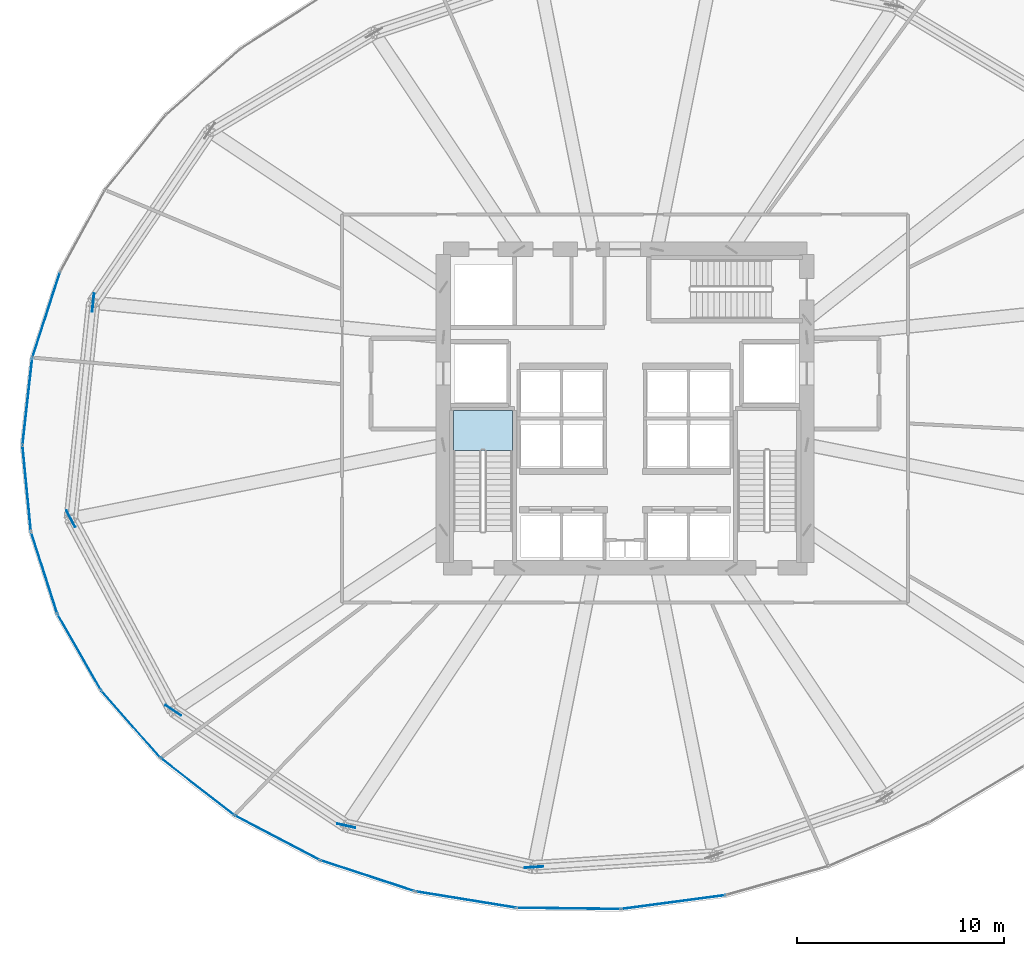
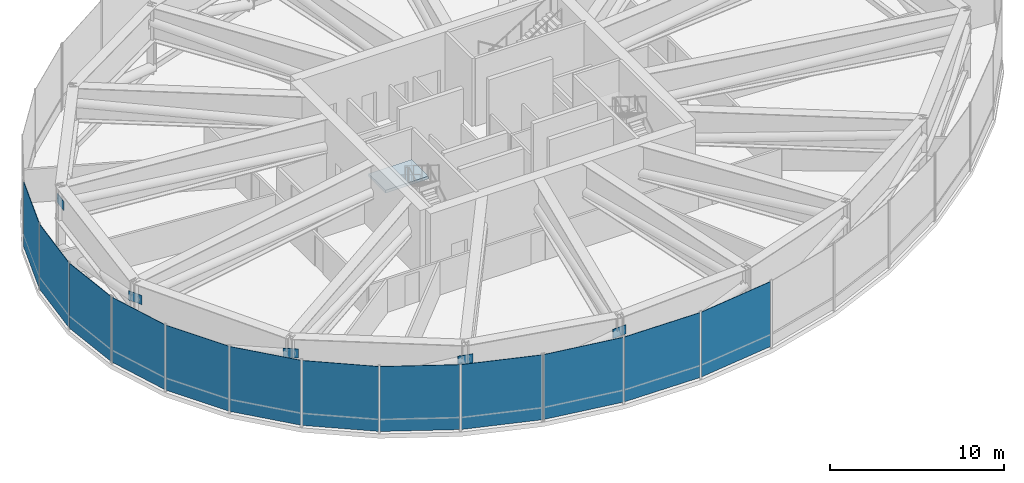
# One storey, part 26 of 33: 17 plates, 1 slab, 4 elements without a shape of their own.
"""IFC4 building model written with IfcOpenShell, lengths in metres."""

from ifc_helpers import new_model, si_unit, direction, frame, origin, origin_2d, place, context, subcontext, project, spatial, polyline, rectangle, outline, extrude, source, transform, mapped, material, layer, layer_set, type_object, element, aggregate, save


model = new_model("IFC4")

# Units and contexts
model_context = context("Model", 3, precision=1e-05, world=origin(), true_north=direction((0.0, 1.0)))
body_context = subcontext(model_context, "Body", "Model", "MODEL_VIEW")
ifc_project = project(units=[si_unit("LENGTHUNIT", "METRE"), si_unit("AREAUNIT", "SQUARE_METRE"), si_unit("VOLUMEUNIT", "CUBIC_METRE"), si_unit("PLANEANGLEUNIT", "RADIAN"), si_unit("MASSUNIT", "GRAM", prefix="KILO"), si_unit("THERMODYNAMICTEMPERATUREUNIT", "KELVIN")], contexts=[model_context])

# Site, building, storey
site_placement = place(None, origin())
site = spatial("IfcSite", under=ifc_project, at=site_placement, CompositionType="ELEMENT")
building_placement = place(site_placement, origin())
building = spatial("IfcBuilding", under=site, at=building_placement, Name="Kethvar Cultural Tower", CompositionType="ELEMENT")
storey_placement = place(building_placement, frame((0.0, 0.0, 80.39990234375)))
storey = spatial("IfcBuildingStorey", under=building, at=storey_placement, Name="L19", CompositionType="ELEMENT", Elevation=80.39990234375)

# Stair, slab
ifc_material_1 = material(Name="Concrete C40/50", Category="concrete")
stair_type = type_object("IfcStairType", Name="ST-DOGLEG-135", PredefinedType="HALF_TURN_STAIR", material=ifc_material_1)
stair_placement = place(storey_placement, origin())
stair = element("IfcStair", 1, at=stair_placement, inside=storey, type_object=stair_type, Name="L19 Core Exit Stair 1", PredefinedType="HALF_TURN_STAIR")
ifc_layer_1 = layer(ifc_material_1, 0.199951171875, Name="Concrete C40/50", Category="concrete")
ifc_layer_set_1 = layer_set([ifc_layer_1], Name="Concrete C40/50 (200 mm)")
slab_type = type_object("IfcSlabType", Name="SL-STAIR-LANDING-200", PredefinedType="LANDING", material=ifc_layer_set_1)
slab_placement = place(storey_placement, frame((0.0, 0.0, 2.400146484375)))
slab = element("IfcSlab", 2, at=slab_placement, type_object=slab_type, Name="ST-01 landing 1", PredefinedType="LANDING", context=body_context, shape_type="SweptSolid", body=[
    extrude(outline(polyline([(41.35009765625, 25.77001953125), (41.35009765625, 27.699951171875), (38.489990234375, 27.699951171875), (38.489990234375, 25.77001953125), (41.35009765625, 25.77001953125)])), origin(), (0.0, 0.0, 1.0), 0.199951171875),
])
aggregate(stair, [slab])

# Plates
ifc_material_2 = material(Name="Steel S460M", Category="steel")
ifc_layer_2 = layer(ifc_material_2, 0.0400390625, Name="Steel S460M", Category="steel")
ifc_layer_set_2 = layer_set([ifc_layer_2], Name="Steel S460M (40 mm)")
plate_type_1 = type_object("IfcPlateType", Name="PL-GUSSET-900", PredefinedType="USERDEFINED", material=ifc_layer_set_2)
shared_shape_1 = source(origin(), body_context, "Body", "SweptSolid", [
    extrude(rectangle(XDim=0.89990234375, YDim=0.0400390625, at=origin_2d()), origin(), (0.0, 0.0, 1.0), 0.64990234375),
])
for number, where, z_axis, x_axis, name in (
    (3, (21.047119140625, 32.922607421875, 3.233154296875), (0.0, 0.0, 1.0), (-0.102815445776, -0.994700449437, 0.0), "L19 Belt-Truss Node Gusset Plate GP-08"),
    (4, (19.9658203125, 22.46240234375, 3.233154296875), (0.0, 0.0, 1.0), (0.47133546255, -0.881954013394, 0.0), "L19 Belt-Truss Node Gusset Plate GP-09"),
    (5, (24.9248046875, 13.183349609375, 3.233154296875), (0.0, 0.0, 1.0), (0.832067102639, -0.554674982946, 0.0), "L19 Belt-Truss Node Gusset Plate GP-10"),
    (6, (33.302001953125, 7.598876953125, 3.233154296875), (0.0, 0.0, 1.0), (0.976533951139, -0.215363511935, 0.0), "L19 Belt-Truss Node Gusset Plate GP-11"),
    (7, (42.38330078125, 5.59619140625, 3.233154296875), (0.0, 0.0, 1.0), (0.997895892214, 0.064836627784, 0.0), "L19 Belt-Truss Node Gusset Plate GP-12"),
):
    element("IfcPlate", number, at=place(storey_placement, frame(where, z_axis=z_axis, x_axis=x_axis)), inside=storey, type_object=plate_type_1, Name=name, ObjectType="GUSSET_PLATE", PredefinedType="USERDEFINED", context=body_context, shape_type="MappedRepresentation", body=[
        mapped(shared_shape_1, transform((0.0, 0.0, 0.0), scale=1.0)),
    ])

# Curtain wall, plate
ifc_material_3 = material(Name="Aluminium 6063-T6", Category="aluminium")
ifc_layer_3 = layer(ifc_material_3, 0.179931640625, Name="Aluminium 6063-T6", Category="aluminium")
ifc_layer_set_3 = layer_set([ifc_layer_3], Name="Aluminium 6063-T6 (180 mm)")
curtain_wall_type = type_object("IfcCurtainWallType", Name="CW-SYS-02-Z1", PredefinedType="NOTDEFINED", material=ifc_layer_set_3)
curtain_wall_1_placement = place(storey_placement, origin())
curtain_wall_1 = element("IfcCurtainWall", 8, at=curtain_wall_1_placement, inside=storey, type_object=curtain_wall_type, Name="L19 Curtain Wall Run 05", PredefinedType="NOTDEFINED")
ifc_material_4 = material(Name="Insulated Low-E Solar Glass", Category="glass")
ifc_layer_4 = layer(ifc_material_4, 0.031982421875, Name="Insulated Low-E Solar Glass", Category="glass")
ifc_layer_set_4 = layer_set([ifc_layer_4], Name="Insulated Low-E Solar Glass (32 mm)")
plate_type_2 = type_object("IfcPlateType", Name="CW-SYS-02-Z1-PNL", PredefinedType="CURTAIN_PANEL", material=ifc_layer_set_4)
shared_shape_2 = source(origin(), body_context, "Body", "SweptSolid", [
    extrude(rectangle(XDim=4.99072265625, YDim=0.031982421875, at=origin_2d()), origin(), (0.0, 0.0, 1.0), 4.56005859375),
])
plate_1_placement = place(storey_placement, frame((44.072998046875, 3.595703125, 0.10009765625), z_axis=(0.0, 0.0, 1.0), x_axis=(0.999927696728, -0.012025028722, 0.0)))
plate_1 = element("IfcPlate", 9, at=plate_1_placement, type_object=plate_type_2, Name="CW-L19-R05 Vision Glazing Panel 2", PredefinedType="CURTAIN_PANEL", context=body_context, shape_type="MappedRepresentation", body=[
    mapped(shared_shape_2, transform((0.0, 0.0, 0.0), scale=1.0)),
])

# Curtain wall, plates
curtain_wall_2_placement = place(storey_placement, origin())
curtain_wall_2 = element("IfcCurtainWall", 10, at=curtain_wall_2_placement, inside=storey, type_object=curtain_wall_type, Name="L19 Curtain Wall Run 04", PredefinedType="NOTDEFINED")
shared_shape_3 = source(origin(), body_context, "Body", "SweptSolid", [
    extrude(rectangle(XDim=4.76220703125, YDim=0.031982421875, at=origin_2d()), origin(), (0.0, 0.0, 1.0), 4.56005859375),
])
plate_2_placement = place(storey_placement, frame((34.3359375, 5.176025390625, 0.10009765625), z_axis=(0.0, 0.0, 1.0), x_axis=(0.950211627382, -0.311605300321, 0.0)))
plate_2 = element("IfcPlate", 11, at=plate_2_placement, type_object=plate_type_2, Name="CW-L19-R04 Vision Glazing Panel 6", PredefinedType="CURTAIN_PANEL", context=body_context, shape_type="MappedRepresentation", body=[
    mapped(shared_shape_3, transform((0.0, 0.0, 0.0), scale=1.0)),
])
shared_shape_4 = source(origin(), body_context, "Body", "SweptSolid", [
    extrude(rectangle(XDim=4.607177734375, YDim=0.031982421875, at=origin_2d()), origin(), (0.0, 0.0, 1.0), 4.56005859375),
])
plate_3_placement = place(storey_placement, frame((29.965087890625, 7.015380859375, 0.10009765625), z_axis=(0.0, 0.0, 1.0), x_axis=(0.885839434086, -0.46399191482, 0.0)))
plate_3 = element("IfcPlate", 12, at=plate_3_placement, type_object=plate_type_2, Name="CW-L19-R04 Vision Glazing Panel 5", PredefinedType="CURTAIN_PANEL", context=body_context, shape_type="MappedRepresentation", body=[
    mapped(shared_shape_4, transform((0.0, 0.0, 0.0), scale=1.0)),
])
shared_shape_5 = source(origin(), body_context, "Body", "SweptSolid", [
    extrude(rectangle(XDim=4.44677734375, YDim=0.031982421875, at=origin_2d()), origin(), (0.0, 0.0, 1.0), 4.56005859375),
])
plate_4_placement = place(storey_placement, frame((26.107177734375, 9.48583984375, 0.10009765625), z_axis=(0.0, 0.0, 1.0), x_axis=(0.790176406386, -0.612879471666, 0.0)))
plate_4 = element("IfcPlate", 13, at=plate_4_placement, type_object=plate_type_2, Name="CW-L19-R04 Vision Glazing Panel 4", PredefinedType="CURTAIN_PANEL", context=body_context, shape_type="MappedRepresentation", body=[
    mapped(shared_shape_5, transform((0.0, 0.0, 0.0), scale=1.0)),
])

# Curtain wall, plate
curtain_wall_3_placement = place(storey_placement, origin())
curtain_wall_3 = element("IfcCurtainWall", 14, at=curtain_wall_3_placement, inside=storey, type_object=curtain_wall_type, Name="L19 Curtain Wall Run 03", PredefinedType="NOTDEFINED")
shared_shape_6 = source(origin(), body_context, "Body", "SweptSolid", [
    extrude(rectangle(XDim=4.30078125, YDim=0.031982421875, at=origin_2d()), origin(), (0.0, 0.0, 1.0), 4.56005859375),
])
plate_5_placement = place(storey_placement, frame((18.7744140625, 32.330810546875, 0.10009765625), z_axis=(0.0, 0.0, 1.0), x_axis=(-0.307888040411, -0.951422595155, 0.0)))
plate_5 = element("IfcPlate", 15, at=plate_5_placement, type_object=plate_type_2, Name="CW-L19-R03 Vision Glazing Panel 4", PredefinedType="CURTAIN_PANEL", context=body_context, shape_type="MappedRepresentation", body=[
    mapped(shared_shape_6, transform((0.0, 0.0, 0.0), scale=1.0)),
])

# Plate
plate_6_placement = place(storey_placement, frame((22.87890625, 12.511474609375, 0.10009765625), z_axis=(0.0, 0.0, 1.0), x_axis=(0.660434255545, -0.750883875245, 0.0)))
plate_6 = element("IfcPlate", 16, at=plate_6_placement, type_object=plate_type_2, Name="CW-L19-R04 Vision Glazing Panel 3", PredefinedType="CURTAIN_PANEL", context=body_context, shape_type="MappedRepresentation", body=[
    mapped(shared_shape_6, transform((0.0, 0.0, 0.0), scale=1.0)),
])

shared_shape_7 = source(origin(), body_context, "Body", "SweptSolid", [
    extrude(rectangle(XDim=4.189208984375, YDim=0.031982421875, at=origin_2d()), origin(), (0.0, 0.0, 1.0), 4.56005859375),
])
plate_7_placement = place(storey_placement, frame((17.8642578125, 28.135986328125, 0.10009765625), z_axis=(0.0, 0.0, 1.0), x_axis=(-0.111468932206, -0.993767919161, 0.0)))
plate_7 = element("IfcPlate", 17, at=plate_7_placement, type_object=plate_type_2, Name="CW-L19-R03 Vision Glazing Panel 5", PredefinedType="CURTAIN_PANEL", context=body_context, shape_type="MappedRepresentation", body=[
    mapped(shared_shape_7, transform((0.0, 0.0, 0.0), scale=1.0)),
])

shared_shape_8 = source(origin(), body_context, "Body", "SweptSolid", [
    extrude(rectangle(XDim=4.12890625, YDim=0.031982421875, at=origin_2d()), origin(), (0.0, 0.0, 1.0), 4.56005859375),
])
plate_8_placement = place(storey_placement, frame((17.83203125, 23.931884765625, 0.10009765625), z_axis=(0.0, 0.0, 1.0), x_axis=(0.097721858767, -0.995213765137, 0.0)))
plate_8 = element("IfcPlate", 18, at=plate_8_placement, type_object=plate_type_2, Name="CW-L19-R03 Vision Glazing Panel 6", PredefinedType="CURTAIN_PANEL", context=body_context, shape_type="MappedRepresentation", body=[
    mapped(shared_shape_8, transform((0.0, 0.0, 0.0), scale=1.0)),
])

aggregate(curtain_wall_3, [plate_5, plate_7, plate_8])

plate_9_placement = place(storey_placement, frame((18.67822265625, 19.845458984375, 0.10009765625), z_axis=(0.0, 0.0, 1.0), x_axis=(0.305562359641, -0.952172066578, 0.0)))
plate_9 = element("IfcPlate", 19, at=plate_9_placement, type_object=plate_type_2, Name="CW-L19-R04 Vision Glazing Panel 1", PredefinedType="CURTAIN_PANEL", context=body_context, shape_type="MappedRepresentation", body=[
    mapped(shared_shape_8, transform((0.0, 0.0, 0.0), scale=1.0)),
])

shared_shape_9 = source(origin(), body_context, "Body", "SweptSolid", [
    extrude(rectangle(XDim=4.189453125, YDim=0.031982421875, at=origin_2d()), origin(), (0.0, 0.0, 1.0), 4.56005859375),
])
plate_10_placement = place(storey_placement, frame((20.37744140625, 16.0, 0.10009765625), z_axis=(0.0, 0.0, 1.0), x_axis=(0.496973961028, -0.867765453369, 0.0)))
plate_10 = element("IfcPlate", 20, at=plate_10_placement, type_object=plate_type_2, Name="CW-L19-R04 Vision Glazing Panel 2", PredefinedType="CURTAIN_PANEL", context=body_context, shape_type="MappedRepresentation", body=[
    mapped(shared_shape_9, transform((0.0, 0.0, 0.0), scale=1.0)),
])

aggregate(curtain_wall_2, [plate_9, plate_10, plate_6, plate_4, plate_3, plate_2])

shared_shape_10 = source(origin(), body_context, "Body", "SweptSolid", [
    extrude(rectangle(XDim=4.894775390625, YDim=0.031982421875, at=origin_2d()), origin(), (0.0, 0.0, 1.0), 4.56005859375),
])
plate_11_placement = place(storey_placement, frame((39.086669921875, 4.0244140625, 0.10009765625), z_axis=(0.0, 0.0, 1.0), x_axis=(0.987080395872, -0.160225753504, 0.0)))
plate_11 = element("IfcPlate", 21, at=plate_11_placement, type_object=plate_type_2, Name="CW-L19-R05 Vision Glazing Panel 1", PredefinedType="CURTAIN_PANEL", context=body_context, shape_type="MappedRepresentation", body=[
    mapped(shared_shape_10, transform((0.0, 0.0, 0.0), scale=1.0)),
])

shared_shape_11 = source(origin(), body_context, "Body", "SweptSolid", [
    extrude(rectangle(XDim=5.041259765625, YDim=0.031982421875, at=origin_2d()), origin(), (0.0, 0.0, 1.0), 4.56005859375),
])
plate_12_placement = place(storey_placement, frame((49.142333984375, 3.903564453125, 0.10009765625), z_axis=(0.0, 0.0, 1.0), x_axis=(0.991220156267, 0.132221790227, 0.0)))
plate_12 = element("IfcPlate", 22, at=plate_12_placement, type_object=plate_type_2, Name="CW-L19-R05 Vision Glazing Panel 3", PredefinedType="CURTAIN_PANEL", context=body_context, shape_type="MappedRepresentation", body=[
    mapped(shared_shape_11, transform((0.0, 0.0, 0.0), scale=1.0)),
])

aggregate(curtain_wall_1, [plate_11, plate_1, plate_12])

save(model, "model.ifc")
